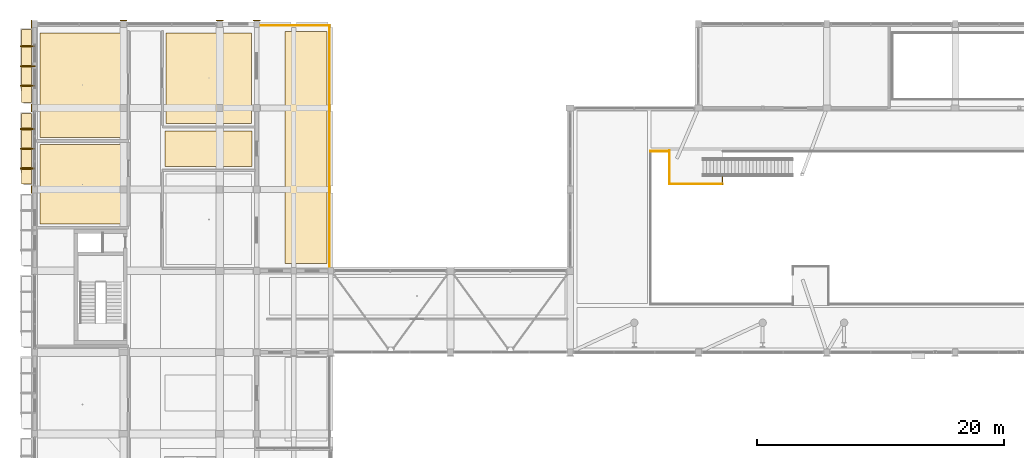
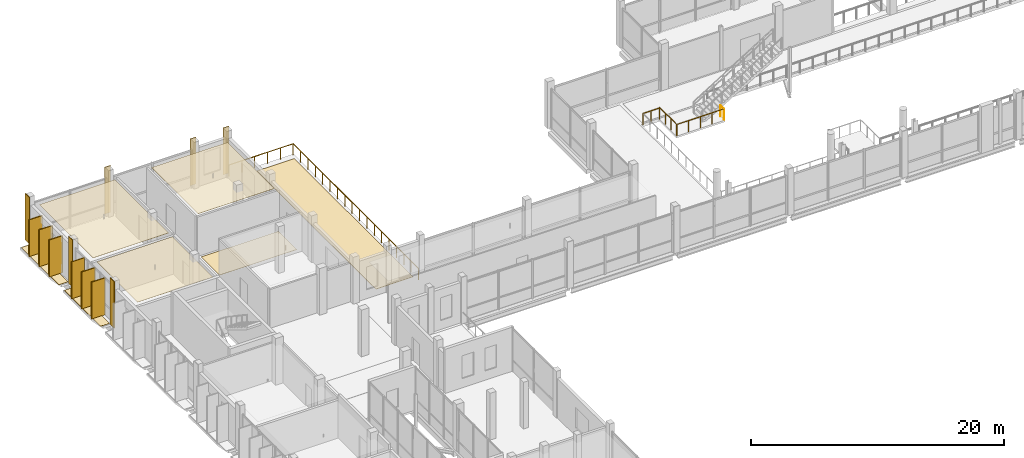
# One storey, part 87 of 95: 19 coverings, 6 railings, 6 shading devices.
"""IFC4 building model written with IfcOpenShell, lengths in metres."""

from ifc_helpers import new_model, si_unit, derived_unit, direction, frame, origin, origin_2d, place, context, subcontext, project, spatial, polyline, rectangle, circle, outline, extrude, material, layer, layer_set, type_object, element, save


model = new_model("IFC4")

# Units and contexts
model_context = context("Model", 3, precision=1e-05, world=origin(), true_north=direction((0.0, 1.0)))
body_context = subcontext(model_context, "Body", "Model", "MODEL_VIEW")
ifc_project = project(units=[si_unit("LENGTHUNIT", "METRE"), si_unit("AREAUNIT", "SQUARE_METRE"), si_unit("VOLUMEUNIT", "CUBIC_METRE"), si_unit("PLANEANGLEUNIT", "RADIAN"), si_unit("MASSUNIT", "GRAM", prefix="KILO"), derived_unit("THERMALTRANSMITTANCEUNIT", [(si_unit("POWERUNIT", "WATT"), 1), (si_unit("LENGTHUNIT", "METRE"), -2), (si_unit("THERMODYNAMICTEMPERATUREUNIT", "KELVIN"), -1)])], contexts=[model_context])

# Site, building, storey
site_placement = place(None, origin())
site = spatial("IfcSite", under=ifc_project, at=site_placement, CompositionType="ELEMENT")
building_placement = place(site_placement, origin())
building = spatial("IfcBuilding", under=site, at=building_placement, Name="Braskholm Square Health Centre", CompositionType="ELEMENT")
storey_placement = place(building_placement, frame((0.0, 0.0, 4.800048828125)))
storey = spatial("IfcBuildingStorey", under=building, at=storey_placement, Name="L02", CompositionType="ELEMENT", Elevation=4.800048828125)

# Coverings
ifc_material_1 = material(Name="Fire-rated gypsum board barrier")
ifc_layer_1 = layer(ifc_material_1, 0.02490234375)
ifc_layer_set_1 = layer_set([ifc_layer_1], Name="Fire-rated gypsum board barrier")
covering_type_1 = type_object("IfcCoveringType", Name="AcousticClinicalCeilingTile", PredefinedType="CEILING", material=ifc_layer_set_1)
covering_1_placement = place(storey_placement, frame((0.0, 0.0, 3.764892578125)))
element("IfcCovering", 1, at=covering_1_placement, inside=storey, type_object=covering_type_1, Name="Acoustic ceiling L02-054", PredefinedType="CEILING", context=body_context, shape_type="SweptSolid", body=[
    extrude(outline(polyline([(4.6201171875, 97.60009765625), (11.5, 97.60009765625), (11.5, 104.030029296875), (4.6201171875, 104.030029296875), (4.6201171875, 97.60009765625)])), origin(), (0.0, 0.0, 1.0), 0.025146484375),
])
covering_2_placement = place(storey_placement, frame((0.0, 0.0, 3.764892578125)))
element("IfcCovering", 2, at=covering_2_placement, inside=storey, type_object=covering_type_1, Name="Acoustic ceiling L02-055", PredefinedType="CEILING", context=body_context, shape_type="SweptSolid", body=[
    extrude(outline(polyline([(4.6201171875, 104.6298828125), (11.5, 104.6298828125), (11.5, 113.10009765625), (4.6201171875, 113.10009765625), (4.6201171875, 104.6298828125)])), origin(), (0.0, 0.0, 1.0), 0.025146484375),
])
covering_3_placement = place(storey_placement, frame((0.0, 0.0, 3.764892578125)))
element("IfcCovering", 3, at=covering_3_placement, inside=storey, type_object=covering_type_1, Name="Acoustic ceiling L02-067", PredefinedType="CEILING", context=body_context, shape_type="SweptSolid", body=[
    extrude(outline(polyline([(14.85009765625, 105.75), (21.780029296875, 105.75), (21.780029296875, 113.10009765625), (14.85009765625, 113.10009765625), (14.85009765625, 105.75)])), origin(), (0.0, 0.0, 1.0), 0.025146484375),
])

# Railings
ifc_material_2 = material(Name="Dark patinated chevron architectural bronze", Category="aluminium")
railing_type = type_object("IfcRailingType", Name="BronzeChevronGuardrail1100", PredefinedType="GUARDRAIL", material=ifc_material_2)
railing_1_placement = place(storey_placement, frame((28.10009765625, 93.89990234375, 0.0)))
element("IfcRailing", 4, at=railing_1_placement, inside=storey, type_object=railing_type, Name="Bronze chevron guardrail 0005 L02", PredefinedType="GUARDRAIL", context=body_context, shape_type="SweptSolid", body=[
    extrude(circle(Radius=0.02392578125, at=origin_2d()), frame((0.0, 0.0, 1.076171875), z_axis=(0.0, 1.0, 0.0), x_axis=(-1.0, 0.0, 0.0)), (0.0, 0.0, 1.0), 19.800048828125),
    extrude(circle(Radius=0.02099609375, at=origin_2d()), origin(), (0.0, 0.0, 1.0), 1.052001953125),
    extrude(circle(Radius=0.02099609375, at=origin_2d()), frame((0.0, 1.164794921875, 0.0)), (0.0, 0.0, 1.0), 1.052001953125),
    extrude(circle(Radius=0.02099609375, at=origin_2d()), frame((0.0, 2.329345703125, 0.0)), (0.0, 0.0, 1.0), 1.052001953125),
    extrude(circle(Radius=0.02099609375, at=origin_2d()), frame((0.0, 3.494140625, 0.0)), (0.0, 0.0, 1.0), 1.052001953125),
    extrude(circle(Radius=0.02099609375, at=origin_2d()), frame((0.0, 4.658935546875, 0.0)), (0.0, 0.0, 1.0), 1.052001953125),
    extrude(circle(Radius=0.02099609375, at=origin_2d()), frame((0.0, 5.823486328125, 0.0)), (0.0, 0.0, 1.0), 1.052001953125),
    extrude(circle(Radius=0.02099609375, at=origin_2d()), frame((0.0, 6.98828125, 0.0)), (0.0, 0.0, 1.0), 1.052001953125),
    extrude(circle(Radius=0.02099609375, at=origin_2d()), frame((0.0, 8.153076171875, 0.0)), (0.0, 0.0, 1.0), 1.052001953125),
    extrude(circle(Radius=0.02099609375, at=origin_2d()), frame((0.0, 9.317626953125, 0.0)), (0.0, 0.0, 1.0), 1.052001953125),
    extrude(circle(Radius=0.02099609375, at=origin_2d()), frame((0.0, 10.482421875, 0.0)), (0.0, 0.0, 1.0), 1.052001953125),
    extrude(circle(Radius=0.02099609375, at=origin_2d()), frame((0.0, 11.64697265625, 0.0)), (0.0, 0.0, 1.0), 1.052001953125),
    extrude(circle(Radius=0.02099609375, at=origin_2d()), frame((0.0, 12.811767578125, 0.0)), (0.0, 0.0, 1.0), 1.052001953125),
    extrude(circle(Radius=0.02099609375, at=origin_2d()), frame((0.0, 13.9765625, 0.0)), (0.0, 0.0, 1.0), 1.052001953125),
    extrude(circle(Radius=0.02099609375, at=origin_2d()), frame((0.0, 15.14111328125, 0.0)), (0.0, 0.0, 1.0), 1.052001953125),
    extrude(circle(Radius=0.02099609375, at=origin_2d()), frame((0.0, 16.305908203125, 0.0)), (0.0, 0.0, 1.0), 1.052001953125),
    extrude(circle(Radius=0.02099609375, at=origin_2d()), frame((0.0, 17.470703125, 0.0)), (0.0, 0.0, 1.0), 1.052001953125),
    extrude(circle(Radius=0.02099609375, at=origin_2d()), frame((0.0, 18.63525390625, 0.0)), (0.0, 0.0, 1.0), 1.052001953125),
    extrude(circle(Radius=0.02099609375, at=origin_2d()), frame((0.0, 19.800048828125, 0.0)), (0.0, 0.0, 1.0), 1.052001953125),
])
railing_2_placement = place(storey_placement, frame((28.10009765625, 113.699951171875, 0.0)))
element("IfcRailing", 5, at=railing_2_placement, inside=storey, type_object=railing_type, Name="Bronze chevron guardrail 0006 L02", PredefinedType="GUARDRAIL", context=body_context, shape_type="SweptSolid", body=[
    extrude(circle(Radius=0.02392578125, at=origin_2d()), frame((0.0, 0.0, 1.076171875), z_axis=(-1.0, 0.0, 0.0), x_axis=(0.0, -1.0, 0.0)), (0.0, 0.0, 1.0), 5.85009765625),
    extrude(circle(Radius=0.02099609375, at=origin_2d()), origin(), (0.0, 0.0, 1.0), 1.052001953125),
    extrude(circle(Radius=0.02099609375, at=origin_2d()), frame((-1.169921875, 0.0, 0.0)), (0.0, 0.0, 1.0), 1.052001953125),
    extrude(circle(Radius=0.02099609375, at=origin_2d()), frame((-2.340087890625, 0.0, 0.0)), (0.0, 0.0, 1.0), 1.052001953125),
    extrude(circle(Radius=0.02099609375, at=origin_2d()), frame((-3.510009765625, 0.0, 0.0)), (0.0, 0.0, 1.0), 1.052001953125),
    extrude(circle(Radius=0.02099609375, at=origin_2d()), frame((-4.68017578125, 0.0, 0.0)), (0.0, 0.0, 1.0), 1.052001953125),
    extrude(circle(Radius=0.02099609375, at=origin_2d()), frame((-5.85009765625, 0.0, 0.0)), (0.0, 0.0, 1.0), 1.052001953125),
])
railing_3_placement = place(storey_placement, frame((55.64990234375, 103.550048828125, 0.0)))
element("IfcRailing", 6, at=railing_3_placement, inside=storey, type_object=railing_type, Name="Bronze chevron guardrail 0017 L02", PredefinedType="GUARDRAIL", context=body_context, shape_type="SweptSolid", body=[
    extrude(circle(Radius=0.02392578125, at=origin_2d()), frame((0.0, 0.0, 1.076171875), z_axis=(0.0, -1.0, 0.0), x_axis=(1.0, 0.0, 0.0)), (0.0, 0.0, 1.0), 2.699951171875),
    extrude(circle(Radius=0.02099609375, at=origin_2d()), origin(), (0.0, 0.0, 1.0), 1.052001953125),
    extrude(circle(Radius=0.02099609375, at=origin_2d()), frame((0.0, -0.89990234375, 0.0)), (0.0, 0.0, 1.0), 1.052001953125),
    extrude(circle(Radius=0.02099609375, at=origin_2d()), frame((0.0, -1.800048828125, 0.0)), (0.0, 0.0, 1.0), 1.052001953125),
    extrude(circle(Radius=0.02099609375, at=origin_2d()), frame((0.0, -2.699951171875, 0.0)), (0.0, 0.0, 1.0), 1.052001953125),
])
railing_4_placement = place(storey_placement, frame((55.64990234375, 100.85009765625, 0.0)))
element("IfcRailing", 7, at=railing_4_placement, inside=storey, type_object=railing_type, Name="Bronze chevron guardrail 0018 L02", PredefinedType="GUARDRAIL", context=body_context, shape_type="SweptSolid", body=[
    extrude(circle(Radius=0.02392578125, at=origin_2d()), frame((0.0, 0.0, 1.076171875), z_axis=(1.0, 0.0, 0.0), x_axis=(0.0, 1.0, 0.0)), (0.0, 0.0, 1.0), 4.300048828125),
    extrude(circle(Radius=0.02099609375, at=origin_2d()), origin(), (0.0, 0.0, 1.0), 1.052001953125),
    extrude(circle(Radius=0.02099609375, at=origin_2d()), frame((1.074951171875, 0.0, 0.0)), (0.0, 0.0, 1.0), 1.052001953125),
    extrude(circle(Radius=0.02099609375, at=origin_2d()), frame((2.14990234375, 0.0, 0.0)), (0.0, 0.0, 1.0), 1.052001953125),
    extrude(circle(Radius=0.02099609375, at=origin_2d()), frame((3.22509765625, 0.0, 0.0)), (0.0, 0.0, 1.0), 1.052001953125),
    extrude(circle(Radius=0.02099609375, at=origin_2d()), frame((4.300048828125, 0.0, 0.0)), (0.0, 0.0, 1.0), 1.052001953125),
])
railing_5_placement = place(storey_placement, frame((59.949951171875, 100.85009765625, 0.0)))
element("IfcRailing", 8, at=railing_5_placement, inside=storey, type_object=railing_type, Name="Bronze chevron guardrail 0019 L02", PredefinedType="GUARDRAIL", context=body_context, shape_type="SweptSolid", body=[
    extrude(circle(Radius=0.02392578125, at=origin_2d()), frame((0.0, 0.0, 1.076171875), z_axis=(0.0, 1.0, 0.0), x_axis=(-1.0, 0.0, 0.0)), (0.0, 0.0, 1.0), 0.5498046875),
    extrude(circle(Radius=0.02099609375, at=origin_2d()), origin(), (0.0, 0.0, 1.0), 1.052001953125),
    extrude(circle(Radius=0.02099609375, at=origin_2d()), frame((0.0, 0.5498046875, 0.0)), (0.0, 0.0, 1.0), 1.052001953125),
])
railing_6_placement = place(storey_placement, frame((55.60009765625, 103.5, 0.0)))
element("IfcRailing", 9, at=railing_6_placement, inside=storey, type_object=railing_type, Name="Bronze chevron guardrail 0059 L02", PredefinedType="GUARDRAIL", context=body_context, shape_type="SweptSolid", body=[
    extrude(circle(Radius=0.02392578125, at=origin_2d()), frame((0.0, 0.0, 1.076171875), z_axis=(-1.0, 0.0, 0.0), x_axis=(0.0, -1.0, 0.0)), (0.0, 0.0, 1.0), 1.5),
    extrude(circle(Radius=0.02099609375, at=origin_2d()), origin(), (0.0, 0.0, 1.0), 1.052001953125),
    extrude(circle(Radius=0.02099609375, at=origin_2d()), frame((-0.75, 0.0, 0.0)), (0.0, 0.0, 1.0), 1.052001953125),
    extrude(circle(Radius=0.02099609375, at=origin_2d()), frame((-1.5, 0.0, 0.0)), (0.0, 0.0, 1.0), 1.052001953125),
])

# Shading devices
ifc_material_3 = material(Name="Thermally modified western red cedar with bronze trim", Category="wood")
shading_device_type = type_object("IfcShadingDeviceType", Name="CedarBronzeShadingFin1250", PredefinedType="USERDEFINED", material=ifc_material_3)
for number, where, z_axis, x_axis, name in (
    (10, (3.635009765625, 102.10009765625, 0.0), (0.0, 0.0, 1.0), (1.0, 0.0, 0.0), "Warm cedar-bronze vertical shading slat 0046"),
    (11, (3.635009765625, 103.699951171875, 0.0), (0.0, 0.0, 1.0), (1.0, 0.0, 0.0), "Warm cedar-bronze vertical shading slat 0047"),
    (12, (3.635009765625, 105.300048828125, 0.0), (0.0, 0.0, 1.0), (1.0, 0.0, 0.0), "Warm cedar-bronze vertical shading slat 0048"),
    (13, (3.635009765625, 108.800048828125, 0.0), (0.0, 0.0, 1.0), (1.0, 0.0, 0.0), "Warm cedar-bronze vertical shading slat 0049"),
    (14, (3.635009765625, 110.39990234375, 0.0), (0.0, 0.0, 1.0), (1.0, 0.0, 0.0), "Warm cedar-bronze vertical shading slat 0050"),
    (15, (3.635009765625, 112.0, 0.0), (0.0, 0.0, 1.0), (1.0, 0.0, 0.0), "Warm cedar-bronze vertical shading slat 0051"),
):
    element("IfcShadingDevice", number, at=place(storey_placement, frame(where, z_axis=z_axis, x_axis=x_axis)), inside=storey, type_object=shading_device_type, Name=name, ObjectType="FIN", PredefinedType="USERDEFINED", context=body_context, shape_type="SweptSolid", body=[
        extrude(rectangle(XDim=1.25, YDim=0.0849609375, at=origin_2d()), origin(), (0.0, 0.0, 1.0), 3.570068359375),
    ])

# Coverings
ifc_layer_2 = layer(ifc_material_3, 0.0849609375)
ifc_layer_set_2 = layer_set([ifc_layer_2], Name="Thermally modified western red cedar with bronze trim")
covering_type_2 = type_object("IfcCoveringType", Name="CedarBronzeSlatCladding", PredefinedType="CLADDING", material=ifc_layer_set_2)
for number, where, z_axis, x_axis, name in (
    (16, (3.6298828125, 102.10009765625, 0.0), (0.0, 0.0, 1.0), (1.0, 0.0, 0.0), "Cedar-bronze shading slat trim 0455"),
    (17, (3.6298828125, 103.699951171875, 0.0), (0.0, 0.0, 1.0), (1.0, 0.0, 0.0), "Cedar-bronze shading slat trim 0456"),
    (18, (3.6298828125, 105.300048828125, 0.0), (0.0, 0.0, 1.0), (1.0, 0.0, 0.0), "Cedar-bronze shading slat trim 0457"),
    (19, (3.6298828125, 108.800048828125, 0.0), (0.0, 0.0, 1.0), (1.0, 0.0, 0.0), "Cedar-bronze shading slat trim 0459"),
    (20, (3.6298828125, 110.39990234375, 0.0), (0.0, 0.0, 1.0), (1.0, 0.0, 0.0), "Cedar-bronze shading slat trim 0460"),
    (21, (3.6298828125, 112.0, 0.0), (0.0, 0.0, 1.0), (1.0, 0.0, 0.0), "Cedar-bronze shading slat trim 0461"),
):
    element("IfcCovering", number, at=place(storey_placement, frame(where, z_axis=z_axis, x_axis=x_axis)), inside=storey, type_object=covering_type_2, Name=name, PredefinedType="CLADDING", context=body_context, shape_type="SweptSolid", body=[
        extrude(rectangle(XDim=1.179931640625, YDim=0.094970703125, at=origin_2d()), origin(), (0.0, 0.0, 1.0), 3.570068359375),
    ])
ifc_material_4 = material(Name="Intensive botanical sedum and native prairie garden bed")
ifc_layer_3 = layer(ifc_material_4, 0.02490234375)
ifc_layer_set_3 = layer_set([ifc_layer_3], Name="Intensive botanical sedum and native prairie garden bed")
covering_type_3 = type_object("IfcCoveringType", Name="PlantedTerraceGardenBed", PredefinedType="ROOFING", material=ifc_layer_set_3)
covering_4_placement = place(storey_placement, origin())
element("IfcCovering", 22, at=covering_4_placement, inside=storey, type_object=covering_type_3, Name="West floor planter ledge sedum strip 0458", PredefinedType="ROOFING", context=body_context, shape_type="SweptSolid", body=[
    extrude(outline(polyline([(3.1201171875, 100.840087890625), (3.949951171875, 100.840087890625), (3.949951171875, 106.56005859375), (3.1201171875, 106.56005859375), (3.1201171875, 100.840087890625)])), origin(), (0.0, 0.0, 1.0), 0.02490234375),
])
covering_5_placement = place(storey_placement, origin())
element("IfcCovering", 23, at=covering_5_placement, inside=storey, type_object=covering_type_3, Name="West floor planter ledge sedum strip 0462", PredefinedType="ROOFING", context=body_context, shape_type="SweptSolid", body=[
    extrude(outline(polyline([(3.1201171875, 107.43994140625), (3.949951171875, 107.43994140625), (3.949951171875, 113.360107421875), (3.1201171875, 113.360107421875), (3.1201171875, 107.43994140625)])), origin(), (0.0, 0.0, 1.0), 0.02490234375),
])
covering_6_placement = place(storey_placement, origin())
element("IfcCovering", 24, at=covering_6_placement, inside=storey, type_object=covering_type_3, Name="Planted therapy terrace garden bed 0904", PredefinedType="ROOFING", context=body_context, shape_type="SweptSolid", body=[
    extrude(outline(polyline([(24.5, 94.39990234375), (27.89990234375, 94.39990234375), (27.89990234375, 113.199951171875), (24.5, 113.199951171875), (24.5, 94.39990234375)])), origin(), (0.0, 0.0, 1.0), 0.02490234375),
])
ifc_material_5 = material(Name="Polished geometric terrazzo flooring", Category="masonry")
ifc_layer_4 = layer(ifc_material_5, 0.02001953125)
ifc_layer_set_4 = layer_set([ifc_layer_4], Name="Polished geometric terrazzo flooring")
covering_type_4 = type_object("IfcCoveringType", Name="PolishedTerrazzoFloorFinish", PredefinedType="FLOORING", material=ifc_layer_set_4)
covering_7_placement = place(storey_placement, origin())
element("IfcCovering", 25, at=covering_7_placement, inside=storey, type_object=covering_type_4, Name="Polished terrazzo floor L02-060", PredefinedType="FLOORING", context=body_context, shape_type="SweptSolid", body=[
    extrude(outline(polyline([(14.780029296875, 102.25), (21.830078125, 102.25), (21.830078125, 105.14990234375), (14.780029296875, 105.14990234375), (14.780029296875, 102.25)])), origin(), (0.0, 0.0, 1.0), 0.02001953125),
])
ifc_material_6 = material(Name="Precast concrete C40/50 architectural white", Category="concrete")
ifc_layer_5 = layer(ifc_material_6, 0.054931640625)
ifc_layer_set_5 = layer_set([ifc_layer_5], Name="Precast concrete C40/50 architectural white")
covering_type_5 = type_object("IfcCoveringType", Name="PrecastWhiteColumnCasing", PredefinedType="CLADDING", material=ifc_layer_set_5)
for number, where, z_axis, x_axis, name in (
    (26, (3.945068359375, 100.39990234375, 0.0), (0.0, 0.0, 1.0), (1.0, 0.0, 0.0), "Giant-order white precast column casing 0128"),
    (27, (3.945068359375, 107.0, 0.0), (0.0, 0.0, 1.0), (1.0, 0.0, 0.0), "Giant-order white precast column casing 0137"),
    (28, (3.945068359375, 113.800048828125, 0.0), (0.0, 0.0, 1.0), (1.0, 0.0, 0.0), "Giant-order white precast column casing 0146"),
):
    element("IfcCovering", number, at=place(storey_placement, frame(where, z_axis=z_axis, x_axis=x_axis)), inside=storey, type_object=covering_type_5, Name=name, PredefinedType="CLADDING", context=body_context, shape_type="SweptSolid", body=[
        extrude(rectangle(XDim=0.06005859375, YDim=0.639892578125, at=origin_2d()), origin(), (0.0, 0.0, 1.0), 4.5),
    ])
for number, where, z_axis, x_axis, name in (
    (29, (11.39990234375, 114.10498046875, 0.0), (0.0, 0.0, 1.0), (1.0, 0.0, 0.0), "Giant-order white precast column casing 0161"),
    (30, (19.199951171875, 114.10498046875, 0.0), (0.0, 0.0, 1.0), (1.0, 0.0, 0.0), "Giant-order white precast column casing 0173"),
    (31, (22.199951171875, 114.10498046875, 0.0), (0.0, 0.0, 1.0), (1.0, 0.0, 0.0), "Giant-order white precast column casing 0181"),
):
    element("IfcCovering", number, at=place(storey_placement, frame(where, z_axis=z_axis, x_axis=x_axis)), inside=storey, type_object=covering_type_5, Name=name, PredefinedType="CLADDING", context=body_context, shape_type="SweptSolid", body=[
        extrude(rectangle(XDim=0.5400390625, YDim=0.06005859375, at=origin_2d()), origin(), (0.0, 0.0, 1.0), 4.5),
    ])

save(model, "model.ifc")
